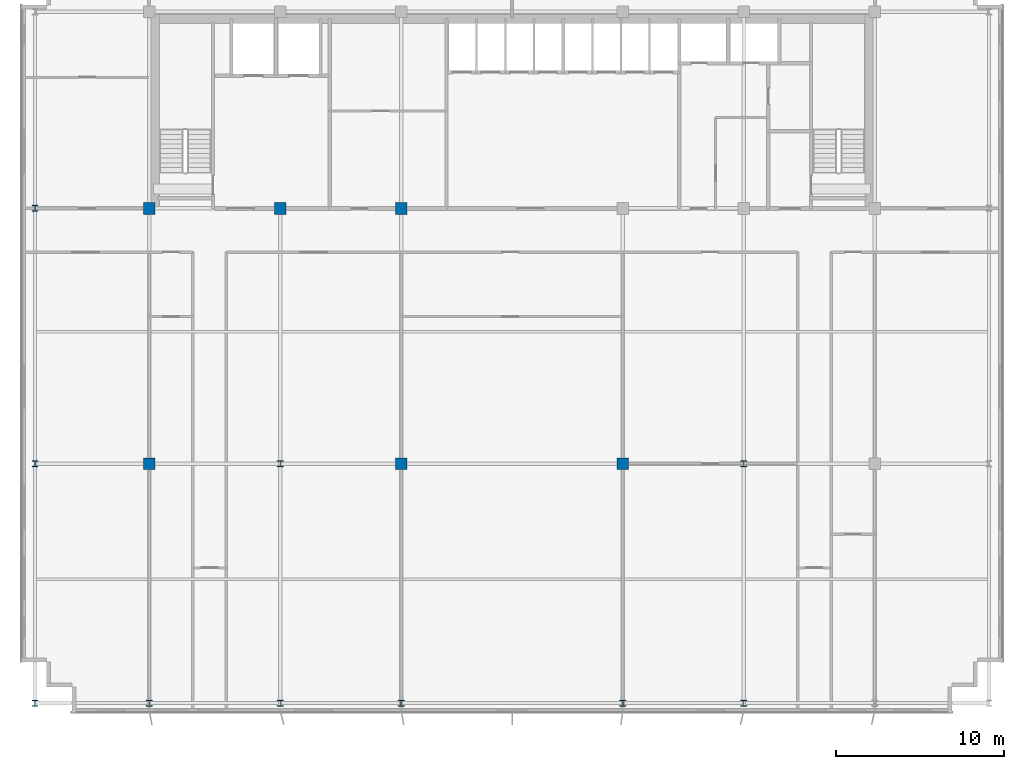
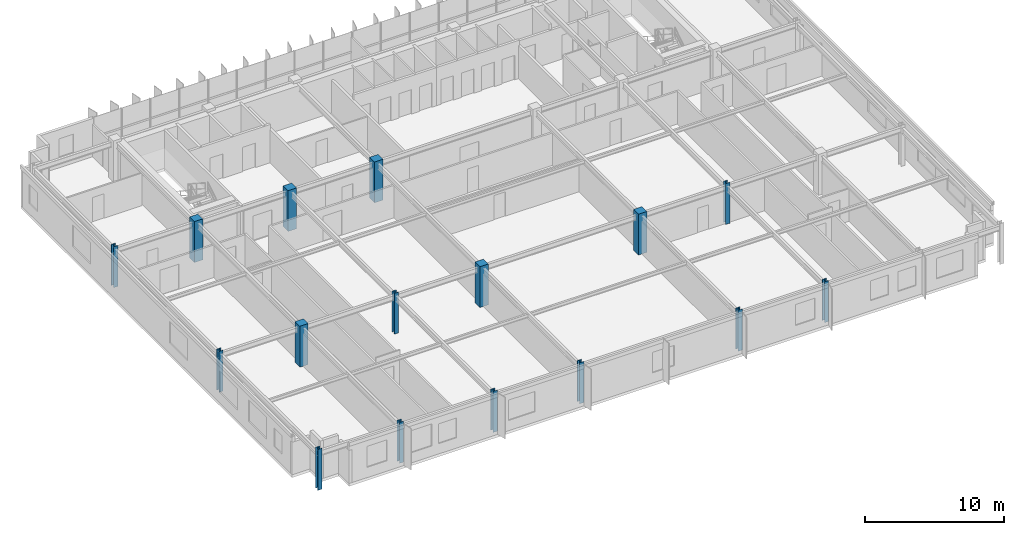
# One storey, part 1 of 19: 16 columns.
"""IFC4 building model written with IfcOpenShell, lengths in metres."""

import ifcopenshell
import ifcopenshell.guid

model = None  # the IFC model being written
_history = None  # IfcOwnerHistory: only IFC2X3 demands one
_inside = {}  # id of a spatial element -> (the spatial element, [elements in it])
_under = {}  # id of a project, library or spatial element -> (it, [spatial elements below it])
_declared = {}  # id of a project -> (the project, [libraries it declares])
_typed = {}  # id of a type object -> (the type object, [elements of that type])
_made_of = {}  # id of a material, layer set ... -> (it, [elements and type objects made of it])


def new_model(schema):
    """Start an empty IFC model of exactly this schema.

    Asked for "IFC4X3", IfcOpenShell would pick the latest addendum, in which some entities
    have other attributes; the version numbers below select the first issue.
    IFC2X3 requires an IfcOwnerHistory on every rooted entity: one is made here for all.
    """
    global model, _history
    if schema == "IFC4X3":
        model = ifcopenshell.file(schema_version=(4, 3, 0, 0))
    else:
        model = ifcopenshell.file(schema=schema)
    _inside.clear()
    _under.clear()
    _declared.clear()
    _typed.clear()
    _made_of.clear()
    _history = None
    if model.schema == "IFC2X3":
        org = make("IfcOrganization", Name="unknown")
        user = make(
            "IfcPersonAndOrganization",
            ThePerson=make("IfcPerson", FamilyName="unknown"),
            TheOrganization=org,
        )
        app = make(
            "IfcApplication",
            ApplicationDeveloper=org,
            Version="unknown",
            ApplicationFullName="unknown",
            ApplicationIdentifier="unknown",
        )
        _history = make(
            "IfcOwnerHistory",
            OwningUser=user,
            OwningApplication=app,
            ChangeAction="ADDED",
            CreationDate=0,
        )
    return model


def make(cls, **values):
    """One entity of the class cls with the attributes given. An attribute that is None is left unset."""
    return model.create_entity(
        cls, **{name: value for name, value in values.items() if value is not None}
    )


def rooted(cls, **values):
    """An entity with a GlobalId (a new one), such as an element, a storey or a relation."""
    return make(cls, GlobalId=ifcopenshell.guid.new(), OwnerHistory=_history, **values)


def si_unit(unit_type, name, prefix=None):
    """IfcSIUnit, for example si_unit("LENGTHUNIT", "METRE", prefix="MILLI")."""
    return make("IfcSIUnit", UnitType=unit_type, Prefix=prefix, Name=name)


def assignment(units):
    """IfcUnitAssignment: the units of a project."""
    return None if units is None else make("IfcUnitAssignment", Units=units)


def point(xyz):
    """IfcCartesianPoint."""
    return None if xyz is None else make("IfcCartesianPoint", Coordinates=xyz)


def direction(xyz):
    """IfcDirection."""
    return None if xyz is None else make("IfcDirection", DirectionRatios=xyz)


def frame(location, z_axis=None, x_axis=None):
    """IfcAxis2Placement3D, a coordinate frame: its origin and axes. An axis left out is left unset."""
    return make(
        "IfcAxis2Placement3D",
        Location=point(location),
        Axis=direction(z_axis),
        RefDirection=direction(x_axis),
    )


def frame_2d(location, x_axis=None):
    """IfcAxis2Placement2D, a coordinate frame in the plane: its origin and x axis."""
    return make(
        "IfcAxis2Placement2D", Location=point(location), RefDirection=direction(x_axis)
    )


def origin():
    """The frame at (0, 0, 0) with its axes left unset."""
    return frame((0.0, 0.0, 0.0))


def origin_2d():
    """The frame at (0, 0) in the plane with its x axis left unset."""
    return frame_2d((0.0, 0.0))


def place(relative_to, where):
    """IfcLocalPlacement: puts the frame where relative to a parent placement (None: the world)."""
    return make(
        "IfcLocalPlacement", PlacementRelTo=relative_to, RelativePlacement=where
    )


def context(
    kind, dimensions, precision=None, world=None, true_north=None, identifier=None
):
    """IfcGeometricRepresentationContext, for example the 3D "Model" context."""
    return make(
        "IfcGeometricRepresentationContext",
        ContextIdentifier=identifier,
        ContextType=kind,
        CoordinateSpaceDimension=dimensions,
        Precision=precision,
        WorldCoordinateSystem=world,
        TrueNorth=true_north,
    )


def subcontext(parent, identifier, kind, view, scale=None):
    """IfcGeometricRepresentationSubContext, for example "Body" below "Model"."""
    return make(
        "IfcGeometricRepresentationSubContext",
        ContextIdentifier=identifier,
        ContextType=kind,
        ParentContext=parent,
        TargetScale=scale,
        TargetView=view,
    )


def project(units=None, contexts=None):
    """IfcProject with its units and contexts."""
    return rooted(
        "IfcProject",
        Name="project",
        RepresentationContexts=contexts,
        UnitsInContext=assignment(units),
    )


def spatial(cls, under=None, at=None, **own):
    """A site, building, storey or space (cls), placed at a placement, below another one or the project."""
    s = rooted(cls, ObjectPlacement=at, **own)
    if under is not None:
        _under.setdefault(under.id(), (under, []))[1].append(s)
    return s


def profile(cls, at=None, kind="AREA", **sizes):
    """A parametric profile (cls). Its sizes go by their IFC names, for example OverallWidth=200.0."""
    return make(cls, ProfileType=kind, Position=at, **sizes)


def rectangle(**sizes):
    """IfcRectangleProfileDef."""
    return profile("IfcRectangleProfileDef", **sizes)


def i_section(**sizes):
    """IfcIShapeProfileDef."""
    return profile("IfcIShapeProfileDef", **sizes)


def extrude(swept, where, along, depth):
    """IfcExtrudedAreaSolid: the profile swept, set in the frame where, extruded along a direction by depth."""
    return make(
        "IfcExtrudedAreaSolid",
        SweptArea=swept,
        Position=where,
        ExtrudedDirection=direction(along),
        Depth=depth,
    )


def shape(context_of_items, identifier, shape_type, items):
    """IfcShapeRepresentation: the items that make up one representation, for example the "Body"."""
    return make(
        "IfcShapeRepresentation",
        ContextOfItems=context_of_items,
        RepresentationIdentifier=identifier,
        RepresentationType=shape_type,
        Items=items,
    )


def source(mapping_origin, context_of_items, identifier, shape_type, items):
    """IfcRepresentationMap: a shape defined once, which mapped items show again and again."""
    return make(
        "IfcRepresentationMap",
        MappingOrigin=mapping_origin,
        MappedRepresentation=shape(context_of_items, identifier, shape_type, items),
    )


def transform(
    local_origin,
    x_axis=None,
    y_axis=None,
    z_axis=None,
    scale=None,
    scale2=None,
    scale3=None,
    uniform=True,
):
    """IfcCartesianTransformationOperator3D, or its non-uniform kind. x_axis, y_axis, z_axis: its Axis1, 2, 3."""
    if uniform:
        return make(
            "IfcCartesianTransformationOperator3D",
            Axis1=direction(x_axis),
            Axis2=direction(y_axis),
            LocalOrigin=point(local_origin),
            Scale=scale,
            Axis3=direction(z_axis),
        )
    return make(
        "IfcCartesianTransformationOperator3DnonUniform",
        Axis1=direction(x_axis),
        Axis2=direction(y_axis),
        LocalOrigin=point(local_origin),
        Scale=scale,
        Axis3=direction(z_axis),
        Scale2=scale2,
        Scale3=scale3,
    )


def mapped(mapping_source, mapping_target):
    """IfcMappedItem: shows the shape of a source again, moved by a transform."""
    return make(
        "IfcMappedItem", MappingSource=mapping_source, MappingTarget=mapping_target
    )


def material(Name=None, Category=None):
    """IfcMaterial."""
    return make("IfcMaterial", Name=Name, Category=Category)


def material_profile(
    of_material, cross_section, Name=None, Category=None, Priority=None
):
    """IfcMaterialProfile: a cross section and its material."""
    return make(
        "IfcMaterialProfile",
        Name=Name,
        Material=of_material,
        Profile=cross_section,
        Priority=Priority,
        Category=Category,
    )


def profile_set(profiles, Name=None, composite=None):
    """IfcMaterialProfileSet."""
    return make(
        "IfcMaterialProfileSet",
        Name=Name,
        MaterialProfiles=profiles,
        CompositeProfile=composite,
    )


def made_of(thing, what):
    """Note that an element or type object is made of a material, layer set ...; save() writes the relation."""
    if what is not None:
        _made_of.setdefault(what.id(), (what, []))[1].append(thing)
    return thing


def type_object(cls, material=None, **own):
    """A type object (cls), such as IfcWallType, which elements share."""
    return made_of(rooted(cls, **own), material)


def element(
    cls,
    number,
    at=None,
    inside=None,
    cuts=None,
    type_object=None,
    material=None,
    context=None,
    identifier="Body",
    shape_type=None,
    held_by="IfcProductDefinitionShape",
    body=None,
    shapes=None,
    **own,
):
    """One element of the class cls, such as IfcWall. Its Tag is "e" and its number.

    at: its placement. inside: the storey or other place that contains it. cuts: it is an
    opening in that element (IfcRelVoidsElement). A single representation is given by context,
    identifier, shape_type and body (its items); several are given by shapes. held_by: the class
    of the entity that holds the representations. save() writes the other relations.
    """
    e = rooted(cls, Tag="e%d" % number, ObjectPlacement=at, **own)
    if body is not None:
        shapes = [shape(context, identifier, shape_type, body)]
    if shapes is not None:
        e.Representation = make(held_by, Representations=shapes)
    if inside is not None:
        _inside.setdefault(inside.id(), (inside, []))[1].append(e)
    if cuts is not None:
        rooted(
            "IfcRelVoidsElement", RelatingBuildingElement=cuts, RelatedOpeningElement=e
        )
    if type_object is not None:
        _typed.setdefault(type_object.id(), (type_object, []))[1].append(e)
    return made_of(e, material)


def aggregate(whole, parts):
    """IfcRelAggregates: a whole, such as a stair, and the parts it consists of."""
    return rooted("IfcRelAggregates", RelatingObject=whole, RelatedObjects=parts)


def save(model, path):
    """Write the relations noted so far, then the file.

    IfcRelAggregates (storeys below a building ...), IfcRelContainedInSpatialStructure (elements
    in a storey), IfcRelDefinesByType, IfcRelAssociatesMaterial and IfcRelDeclares: one each for
    every whole, place, type object, material and project.
    """
    for whole, parts in _under.values():
        aggregate(whole, parts)
    for where, things in _inside.values():
        rooted(
            "IfcRelContainedInSpatialStructure",
            RelatedElements=things,
            RelatingStructure=where,
        )
    for kind, things in _typed.values():
        rooted("IfcRelDefinesByType", RelatedObjects=things, RelatingType=kind)
    for what, things in _made_of.values():
        rooted("IfcRelAssociatesMaterial", RelatedObjects=things, RelatingMaterial=what)
    for by, libraries in _declared.values():
        rooted("IfcRelDeclares", RelatingContext=by, RelatedDefinitions=libraries)
    model.write(path)


model = new_model("IFC4")

# Units and contexts
model_context = context("Model", 3, precision=1e-05, world=origin(), true_north=direction((0.0, 1.0)))
body_context = subcontext(model_context, "Body", "Model", "MODEL_VIEW")
ifc_project = project(units=[si_unit("LENGTHUNIT", "METRE"), si_unit("AREAUNIT", "SQUARE_METRE"), si_unit("VOLUMEUNIT", "CUBIC_METRE"), si_unit("PLANEANGLEUNIT", "RADIAN"), si_unit("MASSUNIT", "GRAM", prefix="KILO")], contexts=[model_context])

# Site, building, storey
site_placement = place(None, origin())
site = spatial("IfcSite", under=ifc_project, at=site_placement, CompositionType="ELEMENT")
building_placement = place(site_placement, origin())
building = spatial("IfcBuilding", under=site, at=building_placement, Name="Trelvane Seafront Commons", CompositionType="ELEMENT")
storey_placement = place(building_placement, frame((0.0, 0.0, 215.699951171875)))
storey = spatial("IfcBuildingStorey", under=building, at=storey_placement, Name="L56", CompositionType="ELEMENT", Elevation=215.699951171875)

# Columns
ifc_material_1 = material(Name="Concrete C50/60", Category="concrete")
ifc_material_profile_1 = material_profile(ifc_material_1, rectangle(XDim=0.699951171875, YDim=0.699951171875, at=origin_2d()), Name="RC-700x700")
ifc_profile_set_1 = profile_set([ifc_material_profile_1], Name="Concrete C50/60")
column_type_1 = type_object("IfcColumnType", Name="STR-COL-RC700", PredefinedType="COLUMN", material=ifc_profile_set_1)
shared_shape_1 = source(origin(), body_context, "Body", "SweptSolid", [
    extrude(rectangle(XDim=0.699951171875, YDim=0.699951171875, at=origin_2d()), origin(), (0.0, 0.0, 1.0), 3.60009765625),
])
for number, where, z_axis, x_axis, name in (
    (1, (15.60009765625, 18.199951171875, 0.0), (0.0, 0.0, 1.0), (1.0, 0.0, 0.0), "L56 Column TC-M15.6"),
    (2, (15.60009765625, 33.39990234375, 0.0), (0.0, 0.0, 1.0), (1.0, 0.0, 0.0), "L56 Column TC-CS15.6"),
    (3, (23.39990234375, 33.39990234375, 0.0), (0.0, 0.0, 1.0), (1.0, 0.0, 0.0), "L56 Column TC-CS23.4"),
    (4, (30.60009765625, 18.199951171875, 0.0), (0.0, 0.0, 1.0), (1.0, 0.0, 0.0), "L56 Column TC-M30.6"),
    (5, (30.60009765625, 33.39990234375, 0.0), (0.0, 0.0, 1.0), (1.0, 0.0, 0.0), "L56 Column TC-CS30.6"),
    (6, (43.800048828125, 18.199951171875, 0.0), (0.0, 0.0, 1.0), (1.0, 0.0, 0.0), "L56 Column TC-M43.8"),
):
    element("IfcColumn", number, at=place(storey_placement, frame(where, z_axis=z_axis, x_axis=x_axis)), inside=storey, type_object=column_type_1, Name=name, PredefinedType="COLUMN", context=body_context, shape_type="MappedRepresentation", body=[
        mapped(shared_shape_1, transform((0.0, 0.0, 0.0), x_axis=(1.0, 0.0, 0.0), y_axis=(0.0, 1.0, 0.0), z_axis=(0.0, 0.0, 1.0), scale=1.0)),
    ])
ifc_material_2 = material(Name="Steel SM355 (S355)", Category="steel")
ifc_material_profile_2 = material_profile(ifc_material_2, i_section(OverallWidth=0.35009765625, OverallDepth=0.35009765625, WebThickness=0.01806640625, FlangeThickness=0.028076171875, at=origin_2d()), Name="HD-350x350x18x28")
ifc_profile_set_2 = profile_set([ifc_material_profile_2], Name="Steel SM355 (S355)")
column_type_2 = type_object("IfcColumnType", Name="STR-COL-HD350", PredefinedType="COLUMN", material=ifc_profile_set_2)
shared_shape_2 = source(origin(), body_context, "Body", "SweptSolid", [
    extrude(i_section(OverallWidth=0.35009765625, OverallDepth=0.35009765625, WebThickness=0.01806640625, FlangeThickness=0.028076171875, at=origin_2d()), origin(), (0.0, 0.0, 1.0), 3.60009765625),
])
for number, where, z_axis, x_axis, name in (
    (7, (8.800048828125, 3.949951171875, 0.0), (0.0, 0.0, 1.0), (1.0, 0.0, 0.0), "L56 Column TC-S8.8"),
    (8, (8.800048828125, 18.199951171875, 0.0), (0.0, 0.0, 1.0), (1.0, 0.0, 0.0), "L56 Column TC-M8.8"),
    (9, (8.800048828125, 33.39990234375, 0.0), (0.0, 0.0, 1.0), (1.0, 0.0, 0.0), "L56 Column TC-CS8.8"),
    (10, (15.60009765625, 3.949951171875, 0.0), (0.0, 0.0, 1.0), (1.0, 0.0, 0.0), "L56 Column TC-S15.6"),
    (11, (23.39990234375, 3.949951171875, 0.0), (0.0, 0.0, 1.0), (1.0, 0.0, 0.0), "L56 Column TC-S23.4"),
    (12, (23.39990234375, 18.199951171875, 0.0), (0.0, 0.0, 1.0), (1.0, 0.0, 0.0), "L56 Column TC-M23.4"),
    (13, (30.60009765625, 3.949951171875, 0.0), (0.0, 0.0, 1.0), (1.0, 0.0, 0.0), "L56 Column TC-S30.6"),
    (14, (43.800048828125, 3.949951171875, 0.0), (0.0, 0.0, 1.0), (1.0, 0.0, 0.0), "L56 Column TC-S43.8"),
    (15, (51.0, 3.949951171875, 0.0), (0.0, 0.0, 1.0), (1.0, 0.0, 0.0), "L56 Column TC-S51.0"),
    (16, (51.0, 18.199951171875, 0.0), (0.0, 0.0, 1.0), (1.0, 0.0, 0.0), "L56 Column TC-M51.0"),
):
    element("IfcColumn", number, at=place(storey_placement, frame(where, z_axis=z_axis, x_axis=x_axis)), inside=storey, type_object=column_type_2, Name=name, PredefinedType="COLUMN", context=body_context, shape_type="MappedRepresentation", body=[
        mapped(shared_shape_2, transform((0.0, 0.0, 0.0), x_axis=(1.0, 0.0, 0.0), y_axis=(0.0, 1.0, 0.0), z_axis=(0.0, 0.0, 1.0), scale=1.0)),
    ])

save(model, "model.ifc")
